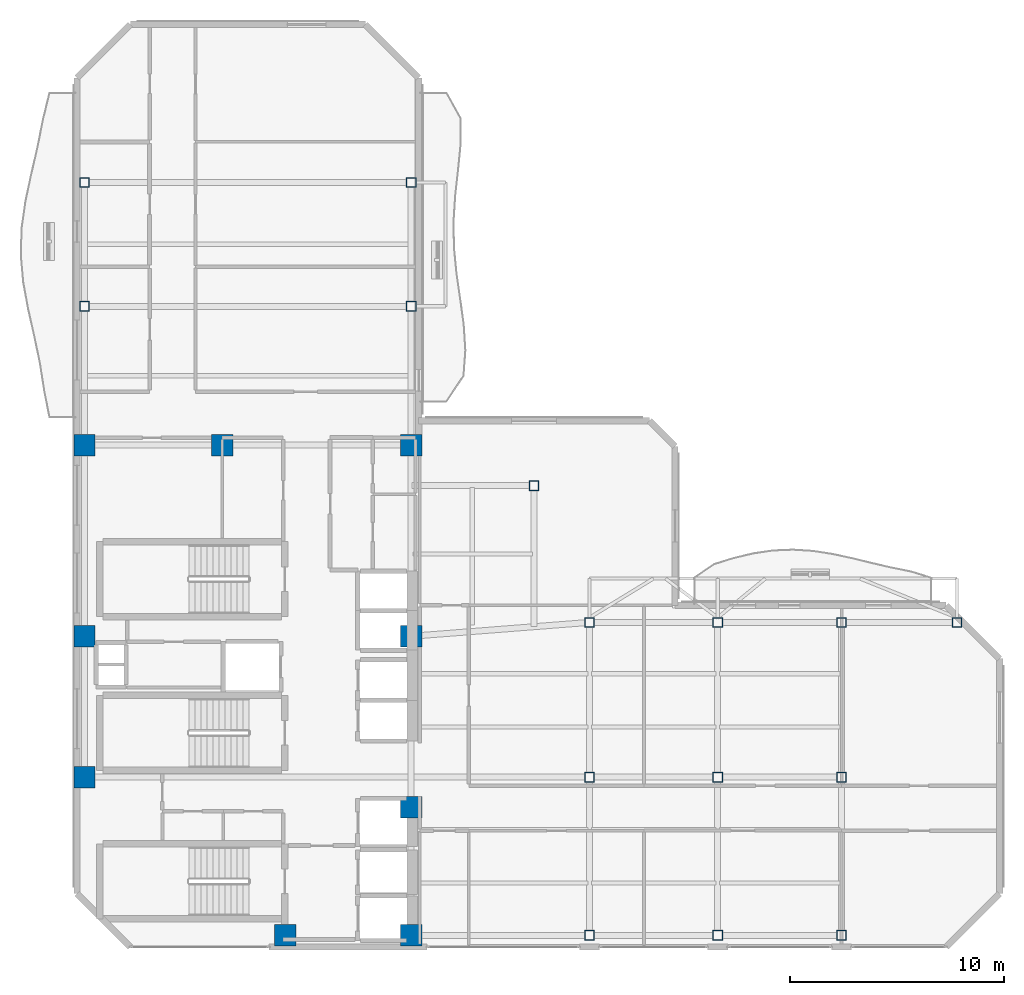
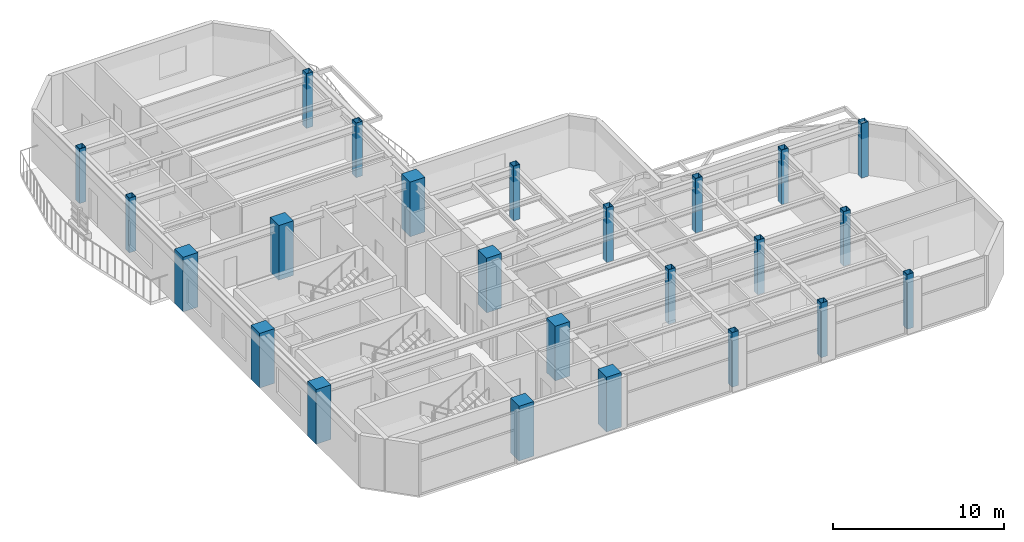
# One storey, part 1 of 17: 24 columns.
"""IFC4 building model written with IfcOpenShell, lengths in metres."""

from ifc_helpers import new_model, si_unit, direction, frame, origin, origin_2d, place, context, subcontext, project, spatial, rectangle, hollow_rectangle, extrude, material, material_profile, profile_set, type_object, element, save


model = new_model("IFC4")

# Units and contexts
model_context = context("Model", 3, precision=1e-05, world=origin(), true_north=direction((0.0, 1.0)))
body_context = subcontext(model_context, "Body", "Model", "MODEL_VIEW")
ifc_project = project(units=[si_unit("LENGTHUNIT", "METRE"), si_unit("AREAUNIT", "SQUARE_METRE"), si_unit("VOLUMEUNIT", "CUBIC_METRE"), si_unit("PLANEANGLEUNIT", "RADIAN"), si_unit("MASSUNIT", "GRAM", prefix="KILO")], contexts=[model_context])

# Site, building, storey
site_placement = place(None, origin())
site = spatial("IfcSite", under=ifc_project, at=site_placement, CompositionType="ELEMENT")
building_placement = place(site_placement, origin())
building = spatial("IfcBuilding", under=site, at=building_placement, Name="Mawjaban Terraces University", CompositionType="ELEMENT")
storey_placement = place(building_placement, frame((0.0, 0.0, 183.60009765625)))
storey = spatial("IfcBuildingStorey", under=building, at=storey_placement, Name="L44", CompositionType="ELEMENT", Elevation=183.60009765625)

# Columns
ifc_material_1 = material(Name="Concrete C60/75", Category="concrete")
ifc_material_profile_1 = material_profile(ifc_material_1, rectangle(XDim=1.0, YDim=1.0, at=origin_2d()), Name="RC1000X1000")
ifc_profile_set_1 = profile_set([ifc_material_profile_1], Name="Concrete C60/75")
column_type_1 = type_object("IfcColumnType", Name="Col_RC1000X1000", PredefinedType="COLUMN", material=ifc_profile_set_1)
for number, where, z_axis, x_axis, name in (
    (1, (31.75, 0.550048828125, 0.0), (0.0, 0.0, 1.0), (1.0, 0.0, 0.0), "L44 Column CC2"),
    (2, (37.64990234375, 0.550048828125, 0.0), (0.0, 0.0, 1.0), (1.0, 0.0, 0.0), "L44 Column CC3"),
    (3, (22.35009765625, 7.949951171875, 0.0), (0.0, 0.0, 1.0), (1.0, 0.0, 0.0), "L44 Column CC4"),
    (4, (37.64990234375, 6.550048828125, 0.0), (0.0, 0.0, 1.0), (1.0, 0.0, 0.0), "L44 Column CC5"),
    (5, (22.35009765625, 14.550048828125, 0.0), (0.0, 0.0, 1.0), (1.0, 0.0, 0.0), "L44 Column CC6"),
    (6, (37.64990234375, 14.550048828125, 0.0), (0.0, 0.0, 1.0), (1.0, 0.0, 0.0), "L44 Column CC7"),
    (7, (22.35009765625, 23.5, 0.0), (0.0, 0.0, 1.0), (1.0, 0.0, 0.0), "L44 Column CC8"),
    (8, (28.800048828125, 23.5, 0.0), (0.0, 0.0, 1.0), (1.0, 0.0, 0.0), "L44 Column CC9"),
    (9, (37.64990234375, 23.5, 0.0), (0.0, 0.0, 1.0), (1.0, 0.0, 0.0), "L44 Column CC10"),
):
    element("IfcColumn", number, at=place(storey_placement, frame(where, z_axis=z_axis, x_axis=x_axis)), inside=storey, type_object=column_type_1, Name=name, PredefinedType="COLUMN", context=body_context, shape_type="SweptSolid", body=[
        extrude(rectangle(XDim=1.0, YDim=1.0, at=origin_2d()), origin(), (0.0, 0.0, 1.0), 3.89990234375),
    ])
ifc_material_2 = material(Name="Steel EN 10210-1 S355J2H", Category="steel")
ifc_material_profile_2 = material_profile(ifc_material_2, hollow_rectangle(XDim=0.449951171875, YDim=0.449951171875, WallThickness=0.02001953125, at=origin_2d()), Name="SHS450X450X20")
ifc_profile_set_2 = profile_set([ifc_material_profile_2], Name="Steel EN 10210-1 S355J2H")
column_type_2 = type_object("IfcColumnType", Name="Col_SHS450X450X20", PredefinedType="COLUMN", material=ifc_profile_set_2)
for number, where, z_axis, x_axis, name in (
    (10, (46.0, 0.550048828125, 0.0), (0.0, 0.0, 1.0), (1.0, 0.0, 0.0), "L44 Column TE-460-005"),
    (11, (46.0, 7.949951171875, 0.0), (0.0, 0.0, 1.0), (1.0, 0.0, 0.0), "L44 Column TE-460-080"),
    (12, (46.0, 15.199951171875, 0.0), (0.0, 0.0, 1.0), (1.0, 0.0, 0.0), "L44 Column TE-460-152"),
    (13, (52.0, 0.550048828125, 0.0), (0.0, 0.0, 1.0), (1.0, 0.0, 0.0), "L44 Column TE-520-005"),
    (14, (52.0, 7.949951171875, 0.0), (0.0, 0.0, 1.0), (1.0, 0.0, 0.0), "L44 Column TE-520-080"),
    (15, (52.0, 15.199951171875, 0.0), (0.0, 0.0, 1.0), (1.0, 0.0, 0.0), "L44 Column TE-520-152"),
    (16, (57.800048828125, 0.550048828125, 0.0), (0.0, 0.0, 1.0), (1.0, 0.0, 0.0), "L44 Column TE-578-005"),
    (17, (57.800048828125, 7.949951171875, 0.0), (0.0, 0.0, 1.0), (1.0, 0.0, 0.0), "L44 Column TE-578-080"),
    (18, (57.800048828125, 15.199951171875, 0.0), (0.0, 0.0, 1.0), (1.0, 0.0, 0.0), "L44 Column TE-578-152"),
    (19, (63.199951171875, 15.199951171875, 0.0), (0.0, 0.0, 1.0), (1.0, 0.0, 0.0), "L44 Column TE-632-152"),
    (20, (22.35009765625, 30.0, 0.0), (0.0, 0.0, 1.0), (1.0, 0.0, 0.0), "L44 Column TN-223-300"),
    (21, (37.64990234375, 30.0, 0.0), (0.0, 0.0, 1.0), (1.0, 0.0, 0.0), "L44 Column TN-376-300"),
    (22, (22.35009765625, 35.800048828125, 0.0), (0.0, 0.0, 1.0), (1.0, 0.0, 0.0), "L44 Column TN-223-358"),
    (23, (37.64990234375, 35.800048828125, 0.0), (0.0, 0.0, 1.0), (1.0, 0.0, 0.0), "L44 Column TN-376-358"),
    (24, (43.39990234375, 21.60009765625, 0.0), (0.0, 0.0, 1.0), (1.0, 0.0, 0.0), "L44 Column TS-434-216"),
):
    element("IfcColumn", number, at=place(storey_placement, frame(where, z_axis=z_axis, x_axis=x_axis)), inside=storey, type_object=column_type_2, Name=name, PredefinedType="COLUMN", context=body_context, shape_type="SweptSolid", body=[
        extrude(hollow_rectangle(XDim=0.449951171875, YDim=0.449951171875, WallThickness=0.02001953125, at=origin_2d()), origin(), (0.0, 0.0, 1.0), 3.89990234375),
    ])

save(model, "model.ifc")
